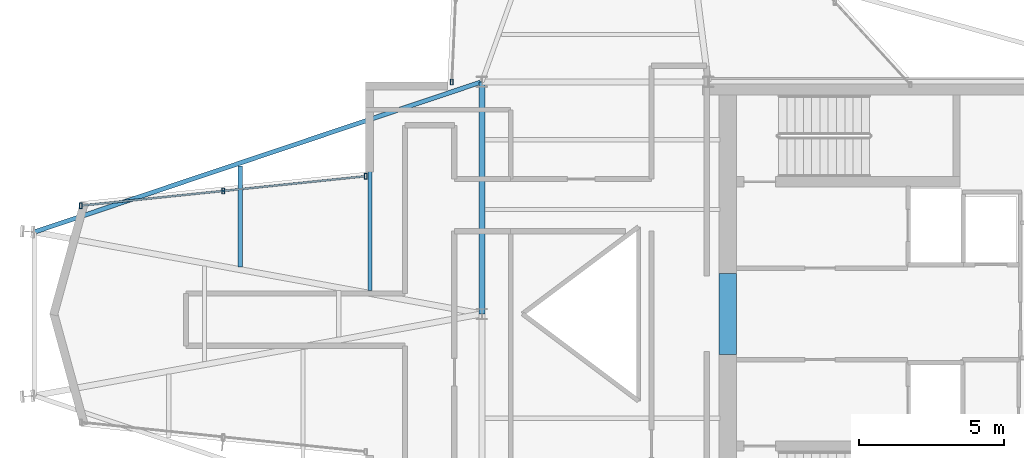
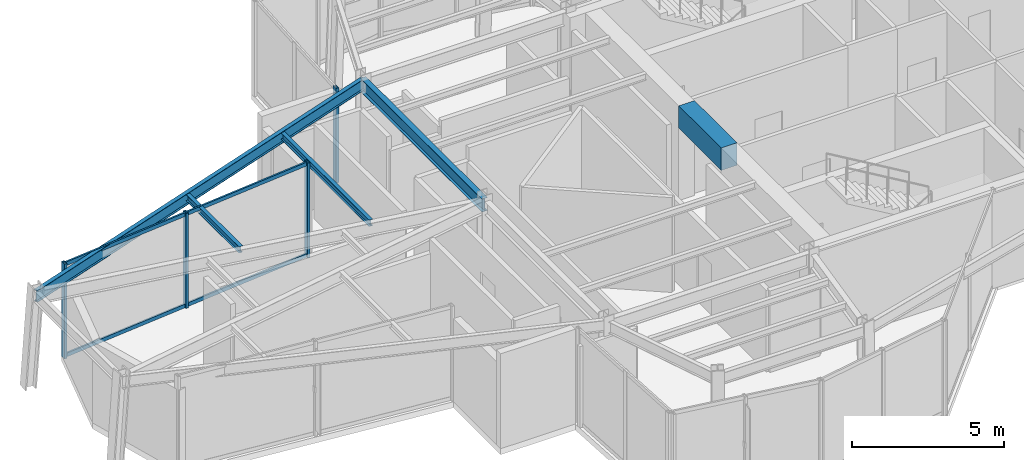
# One storey, part 4 of 13: 6 members, 5 beams, 2 elements without a shape of their own.
"""IFC4 building model written with IfcOpenShell, lengths in metres."""

from ifc_helpers import new_model, si_unit, direction, frame, origin, origin_2d, place, context, subcontext, project, spatial, rectangle, hollow_rectangle, i_section, extrude, material, layer, layer_set, material_profile, profile_set, type_object, element, aggregate, save


model = new_model("IFC4")

# Units and contexts
model_context = context("Model", 3, precision=1e-05, world=origin(), true_north=direction((0.0, 1.0)))
body_context = subcontext(model_context, "Body", "Model", "MODEL_VIEW")
ifc_project = project(units=[si_unit("LENGTHUNIT", "METRE"), si_unit("AREAUNIT", "SQUARE_METRE"), si_unit("VOLUMEUNIT", "CUBIC_METRE"), si_unit("PLANEANGLEUNIT", "RADIAN"), si_unit("MASSUNIT", "GRAM", prefix="KILO")], contexts=[model_context])

# Site, building, storey
site_placement = place(None, origin())
site = spatial("IfcSite", under=ifc_project, at=site_placement, CompositionType="ELEMENT")
building_placement = place(site_placement, origin())
building = spatial("IfcBuilding", under=site, at=building_placement, Name="Veymaron Broadcast Tower", CompositionType="ELEMENT")
storey_placement = place(building_placement, frame((0.0, 0.0, 287.10009765625)))
storey = spatial("IfcBuildingStorey", under=building, at=storey_placement, Name="L67", CompositionType="ELEMENT", Elevation=287.10009765625)

# Beams
ifc_material_1 = material(Name="Concrete C60/75", Category="concrete")
ifc_material_profile_1 = material_profile(ifc_material_1, rectangle(XDim=0.60009765625, YDim=0.89990234375, at=origin_2d()), Name="RC600X900")
ifc_profile_set_1 = profile_set([ifc_material_profile_1], Name="Concrete C60/75")
beam_type_1 = type_object("IfcBeamType", Name="BM-CB2", PredefinedType="LINTEL", material=ifc_profile_set_1)
beam_1_placement = place(storey_placement, frame((39.679931640625, 22.60009765625, 3.35986328125), z_axis=(0.0, 1.0, 0.0), x_axis=(-1.0, 0.0, 0.0)))
element("IfcBeam", 1, at=beam_1_placement, inside=storey, type_object=beam_type_1, Name="L67 Core Wall west coupling beam", PredefinedType="LINTEL", context=body_context, shape_type="SweptSolid", body=[
    extrude(rectangle(XDim=0.60009765625, YDim=0.89990234375, at=origin_2d()), origin(), (0.0, 0.0, 1.0), 2.7998046875),
])
ifc_material_2 = material(Name="Structural steel ASTM A992 Gr 50", Category="steel")
ifc_material_profile_2 = material_profile(ifc_material_2, i_section(OverallWidth=0.208984375, OverallDepth=0.528076171875, WebThickness=0.009521484375, FlangeThickness=0.01318359375, at=origin_2d()), Name="W530X82")
ifc_profile_set_2 = profile_set([ifc_material_profile_2], Name="Structural steel ASTM A992 Gr 50")
beam_type_2 = type_object("IfcBeamType", Name="BM-FG4", PredefinedType="BEAM", material=ifc_profile_set_2)
beam_2_placement = place(storey_placement, frame((31.199951171875, 24.0, 3.5458984375), z_axis=(0.0, 1.0, 0.0), x_axis=(-1.0, 0.0, 0.0)))
element("IfcBeam", 2, at=beam_2_placement, inside=storey, type_object=beam_type_2, Name="L67 primary structural floor girder", PredefinedType="BEAM", context=body_context, shape_type="SweptSolid", body=[
    extrude(i_section(OverallWidth=0.208984375, OverallDepth=0.528076171875, WebThickness=0.009521484375, FlangeThickness=0.01318359375, at=origin_2d()), origin(), (0.0, 0.0, 1.0), 8.0),
])
ifc_material_profile_3 = material_profile(ifc_material_2, i_section(OverallWidth=0.14599609375, OverallDepth=0.258056640625, WebThickness=0.006103515625, FlangeThickness=0.009033203125, at=origin_2d()), Name="W250X33")
ifc_profile_set_3 = profile_set([ifc_material_profile_3], Name="Structural steel ASTM A992 Gr 50")
beam_type_3 = type_object("IfcBeamType", Name="BM-JS4", PredefinedType="JOIST", material=ifc_profile_set_3)
beam_3_placement = place(storey_placement, frame((22.871337890625, 25.623779296875, 3.680908203125), z_axis=(0.0, 1.0, 0.0), x_axis=(-1.0, 0.0, 0.0)))
element("IfcBeam", 3, at=beam_3_placement, inside=storey, type_object=beam_type_3, Name="L67 Arm-A secondary joist 1N", PredefinedType="JOIST", context=body_context, shape_type="SweptSolid", body=[
    extrude(i_section(OverallWidth=0.14599609375, OverallDepth=0.258056640625, WebThickness=0.006103515625, FlangeThickness=0.009033203125, at=origin_2d()), origin(), (0.0, 0.0, 1.0), 3.480224609375),
])
beam_4_placement = place(storey_placement, frame((27.343994140625, 24.805419921875, 3.680908203125), z_axis=(0.0, 1.0, 0.0), x_axis=(-1.0, 0.0, 0.0)))
element("IfcBeam", 4, at=beam_4_placement, inside=storey, type_object=beam_type_3, Name="L67 Arm-A secondary joist 2N", PredefinedType="JOIST", context=body_context, shape_type="SweptSolid", body=[
    extrude(i_section(OverallWidth=0.14599609375, OverallDepth=0.258056640625, WebThickness=0.006103515625, FlangeThickness=0.009033203125, at=origin_2d()), origin(), (0.0, 0.0, 1.0), 5.800048828125),
])
ifc_material_profile_4 = material_profile(ifc_material_2, i_section(OverallWidth=0.154052734375, OverallDepth=0.458984375, WebThickness=0.009033203125, FlangeThickness=0.015380859375, at=origin_2d()), Name="W460X68")
ifc_profile_set_4 = profile_set([ifc_material_profile_4], Name="Structural steel ASTM A992 Gr 50")
beam_type_4 = type_object("IfcBeamType", Name="BM-SP2", PredefinedType="SPANDREL", material=ifc_profile_set_4)
beam_5_placement = place(storey_placement, frame((15.7763671875, 26.822021484375, 3.580322265625), z_axis=(0.948002845498, 0.318261849627, 0.0), x_axis=(-0.318261849627, 0.948002845498, 0.0)))
element("IfcBeam", 5, at=beam_5_placement, inside=storey, type_object=beam_type_4, Name="L67 primary structural floor girder", PredefinedType="SPANDREL", context=body_context, shape_type="SweptSolid", body=[
    extrude(i_section(OverallWidth=0.154052734375, OverallDepth=0.458984375, WebThickness=0.009033203125, FlangeThickness=0.015380859375, at=origin_2d()), origin(), (0.0, 0.0, 1.0), 16.26953125),
])

# Curtain wall, member
ifc_material_3 = material(Name="Anodised aluminium AA 6063-T6 and laminated low-E dark glass", Category="aluminium")
ifc_layer = layer(ifc_material_3, 0.179931640625)
ifc_layer_set = layer_set([ifc_layer], Name="Anodised aluminium AA 6063-T6 and laminated low-E dark glass")
curtain_wall_type = type_object("IfcCurtainWallType", Name="CW-SYS-06", PredefinedType="NOTDEFINED", material=ifc_layer_set)
curtain_wall_1_placement = place(storey_placement, origin())
curtain_wall_1 = element("IfcCurtainWall", 6, at=curtain_wall_1_placement, inside=storey, type_object=curtain_wall_type, Name="L67 dark-glass curtain wall CW-L67-E8-1", PredefinedType="NOTDEFINED")
ifc_material_4 = material(Name="Anodised aluminium AA 6063-T6", Category="aluminium")
ifc_material_profile_5 = material_profile(ifc_material_4, hollow_rectangle(XDim=0.10009765625, YDim=0.199951171875, WallThickness=0.010009765625, at=origin_2d()), Name="RHS200X100X10")
ifc_profile_set_5 = profile_set([ifc_material_profile_5], Name="Anodised aluminium AA 6063-T6")
member_type_1 = type_object("IfcMemberType", Name="CW-MUL-01", PredefinedType="MULLION", material=ifc_profile_set_5)
member_1_placement = place(storey_placement, frame((30.161865234375, 31.99365234375, 0.0), z_axis=(0.0, 0.0, 1.0), x_axis=(1.0, 0.0, 0.0)))
member_1 = element("IfcMember", 7, at=member_1_placement, type_object=member_type_1, Name="CW-L67-E8-1 mullion 2", PredefinedType="MULLION", context=body_context, shape_type="SweptSolid", body=[
    extrude(hollow_rectangle(XDim=0.10009765625, YDim=0.199951171875, WallThickness=0.010009765625, at=origin_2d()), origin(), (0.0, 0.0, 1.0), 3.809814453125),
])
aggregate(curtain_wall_1, [member_1])

# Curtain wall, members
curtain_wall_2_placement = place(storey_placement, origin())
curtain_wall_2 = element("IfcCurtainWall", 8, at=curtain_wall_2_placement, inside=storey, type_object=curtain_wall_type, Name="L67 dark-glass curtain wall CW-L67-E11-1", PredefinedType="NOTDEFINED")
member_2_placement = place(storey_placement, frame((27.199951171875, 28.74658203125, 0.0), z_axis=(0.0, 0.0, 1.0), x_axis=(1.0, 0.0, 0.0)))
member_2 = element("IfcMember", 9, at=member_2_placement, type_object=member_type_1, Name="CW-L67-E11-1 mullion 0", PredefinedType="MULLION", context=body_context, shape_type="SweptSolid", body=[
    extrude(hollow_rectangle(XDim=0.10009765625, YDim=0.199951171875, WallThickness=0.010009765625, at=origin_2d()), origin(), (0.0, 0.0, 1.0), 3.809814453125),
])
member_3_placement = place(storey_placement, frame((22.287109375, 28.239013671875, 0.0), z_axis=(0.0, 0.0, 1.0), x_axis=(1.0, 0.0, 0.0)))
member_3 = element("IfcMember", 10, at=member_3_placement, type_object=member_type_1, Name="CW-L67-E11-1 mullion 1", PredefinedType="MULLION", context=body_context, shape_type="SweptSolid", body=[
    extrude(hollow_rectangle(XDim=0.10009765625, YDim=0.199951171875, WallThickness=0.010009765625, at=origin_2d()), origin(), (0.0, 0.0, 1.0), 3.809814453125),
])
member_4_placement = place(storey_placement, frame((17.37451171875, 27.731201171875, 0.0), z_axis=(0.0, 0.0, 1.0), x_axis=(1.0, 0.0, 0.0)))
member_4 = element("IfcMember", 11, at=member_4_placement, type_object=member_type_1, Name="CW-L67-E11-1 mullion 2", PredefinedType="MULLION", context=body_context, shape_type="SweptSolid", body=[
    extrude(hollow_rectangle(XDim=0.10009765625, YDim=0.199951171875, WallThickness=0.010009765625, at=origin_2d()), origin(), (0.0, 0.0, 1.0), 3.809814453125),
])
ifc_material_profile_6 = material_profile(ifc_material_4, hollow_rectangle(XDim=0.06494140625, YDim=0.14990234375, WallThickness=0.00390625, at=origin_2d()), Name="AL150X65X4")
ifc_profile_set_6 = profile_set([ifc_material_profile_6], Name="Anodised aluminium AA 6063-T6")
member_type_2 = type_object("IfcMemberType", Name="CW-TRN-01", PredefinedType="USERDEFINED", material=ifc_profile_set_6)
member_5_placement = place(storey_placement, frame((27.150390625, 28.74169921875, 0.06982421875), z_axis=(-0.994700162158, -0.10281822505, 0.0), x_axis=(0.10281822505, -0.994700162158, 0.0)))
member_5 = element("IfcMember", 12, at=member_5_placement, type_object=member_type_2, Name="CW-L67-E11-1 transom B", ObjectType="TRANSOM", PredefinedType="USERDEFINED", context=body_context, shape_type="SweptSolid", body=[
    extrude(hollow_rectangle(XDim=0.06494140625, YDim=0.14990234375, WallThickness=0.00390625, at=origin_2d()), origin(), (0.0, 0.0, 1.0), 9.778076171875),
])
member_6_placement = place(storey_placement, frame((27.150390625, 28.74169921875, 3.739990234375), z_axis=(-0.994700162158, -0.10281822505, 0.0), x_axis=(0.10281822505, -0.994700162158, 0.0)))
member_6 = element("IfcMember", 13, at=member_6_placement, type_object=member_type_2, Name="CW-L67-E11-1 transom T", ObjectType="TRANSOM", PredefinedType="USERDEFINED", context=body_context, shape_type="SweptSolid", body=[
    extrude(hollow_rectangle(XDim=0.06494140625, YDim=0.14990234375, WallThickness=0.00390625, at=origin_2d()), origin(), (0.0, 0.0, 1.0), 9.778076171875),
])
aggregate(curtain_wall_2, [member_2, member_3, member_4, member_5, member_6])

save(model, "model.ifc")
